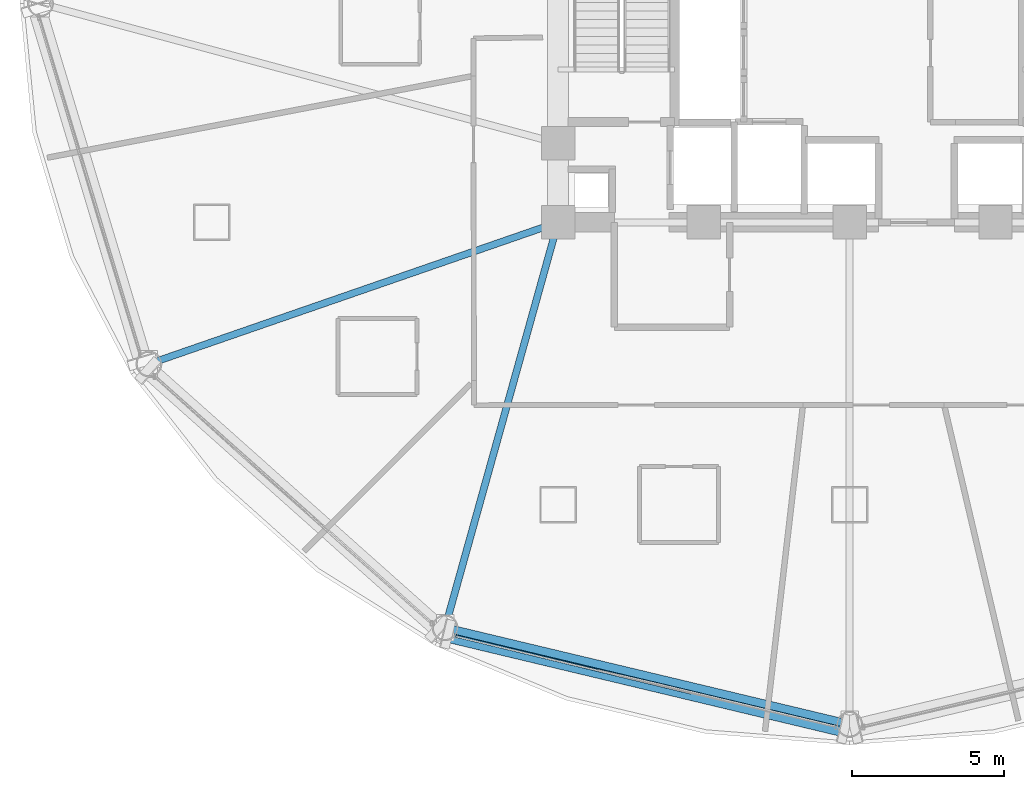
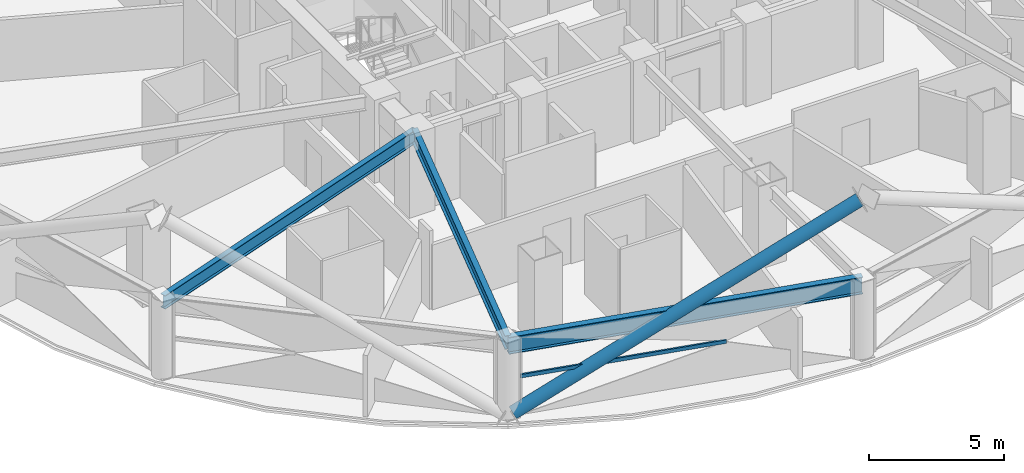
# One storey, part 3 of 31: 3 beams, 2 members, 1 element without a shape of its own.
"""IFC4 building model written with IfcOpenShell, lengths in metres."""

from ifc_helpers import new_model, si_unit, direction, frame, origin, origin_2d, place, context, subcontext, project, spatial, hollow_rectangle, hollow_circle, i_section, extrude, material, layer, layer_set, material_profile, profile_set, type_object, element, aggregate, save


model = new_model("IFC4")

# Units and contexts
model_context = context("Model", 3, precision=1e-05, world=origin(), true_north=direction((0.0, 1.0)))
body_context = subcontext(model_context, "Body", "Model", "MODEL_VIEW")
ifc_project = project(units=[si_unit("LENGTHUNIT", "METRE"), si_unit("AREAUNIT", "SQUARE_METRE"), si_unit("VOLUMEUNIT", "CUBIC_METRE"), si_unit("PLANEANGLEUNIT", "RADIAN"), si_unit("MASSUNIT", "GRAM", prefix="KILO")], contexts=[model_context])

# Site, building, storey
site_placement = place(None, origin())
site = spatial("IfcSite", under=ifc_project, at=site_placement, CompositionType="ELEMENT")
building_placement = place(site_placement, origin())
building = spatial("IfcBuilding", under=site, at=building_placement, Name="Vantalir Tower", CompositionType="ELEMENT")
storey_placement = place(building_placement, frame((0.0, 0.0, 42.0)))
storey = spatial("IfcBuildingStorey", under=building, at=storey_placement, Name="L09", CompositionType="ELEMENT", Elevation=42.0)

# Beams
ifc_material_1 = material(Name="Steel S355", Category="steel")
ifc_material_profile_1 = material_profile(ifc_material_1, i_section(OverallWidth=0.22998046875, OverallDepth=0.616943359375, WebThickness=0.01318359375, FlangeThickness=0.022216796875, at=origin_2d()), Name="Steel S355")
ifc_profile_set_1 = profile_set([ifc_material_profile_1], Name="Steel S355")
beam_type_1 = type_object("IfcBeamType", Name="BM-RB-610x229", PredefinedType="BEAM", material=ifc_profile_set_1)
beam_1_placement = place(storey_placement, frame((8.429931640625, 13.136962890625, 3.261962890625), z_axis=(0.944977317019, 0.327135859117, 0.0), x_axis=(-0.327135859117, 0.944977317019, 0.0)))
element("IfcBeam", 1, at=beam_1_placement, inside=storey, type_object=beam_type_1, Name="L09 Radial Floor Beam 08", PredefinedType="BEAM", context=body_context, shape_type="SweptSolid", body=[
    extrude(i_section(OverallWidth=0.22998046875, OverallDepth=0.616943359375, WebThickness=0.01318359375, FlangeThickness=0.022216796875, at=origin_2d()), origin(), (0.0, 0.0, 1.0), 14.25439453125),
])
beam_2_placement = place(storey_placement, frame((18.179931640625, 4.452880859375, 3.261962890625), z_axis=(0.268476196098, 0.963286318873, 0.0), x_axis=(-0.963286318873, 0.268476196098, 0.0)))
element("IfcBeam", 2, at=beam_2_placement, inside=storey, type_object=beam_type_1, Name="L09 Radial Floor Beam 09", PredefinedType="BEAM", context=body_context, shape_type="SweptSolid", body=[
    extrude(i_section(OverallWidth=0.22998046875, OverallDepth=0.616943359375, WebThickness=0.01318359375, FlangeThickness=0.022216796875, at=origin_2d()), origin(), (0.0, 0.0, 1.0), 13.85595703125),
])
ifc_material_2 = material(Name="Steel S460", Category="steel")
ifc_material_profile_2 = material_profile(ifc_material_2, i_section(OverallWidth=0.26806640625, OverallDepth=0.77001953125, WebThickness=0.015625, FlangeThickness=0.025390625, at=origin_2d()), Name="Steel S460")
ifc_profile_set_2 = profile_set([ifc_material_profile_2], Name="Steel S460")
beam_type_2 = type_object("IfcBeamType", Name="BM-RG-762x267", PredefinedType="USERDEFINED", material=ifc_profile_set_2)
beam_3_placement = place(storey_placement, frame((18.179931640625, 4.452880859375, 3.18505859375), z_axis=(0.972682503887, -0.232139498215, 0.0), x_axis=(0.232139498215, 0.972682503887, 0.0)))
element("IfcBeam", 3, at=beam_3_placement, inside=storey, type_object=beam_type_2, Name="L09 Circumferential Ring Girder 09", ObjectType="GIRDER", PredefinedType="USERDEFINED", context=body_context, shape_type="SweptSolid", body=[
    extrude(i_section(OverallWidth=0.26806640625, OverallDepth=0.77001953125, WebThickness=0.015625, FlangeThickness=0.025390625, at=origin_2d()), origin(), (0.0, 0.0, 1.0), 13.694091796875),
])

# Curtain wall, member
ifc_material_3 = material(Name="Champagne-silver PVDF aluminium and double-silver Low-E glass", Category="aluminium")
ifc_layer = layer(ifc_material_3, 0.18994140625)
ifc_layer_set = layer_set([ifc_layer], Name="Champagne-silver PVDF aluminium and double-silver Low-E glass")
curtain_wall_type = type_object("IfcCurtainWallType", Name="CW-DIAMOND-Z1", PredefinedType="USERDEFINED", material=ifc_layer_set)
curtain_wall_placement = place(storey_placement, origin())
curtain_wall = element("IfcCurtainWall", 4, at=curtain_wall_placement, inside=storey, type_object=curtain_wall_type, Name="L09 Quilted Pyramid-Diamond Curtain Wall S09", ObjectType="UNITISED CURTAIN WALL", PredefinedType="USERDEFINED")
ifc_material_4 = material(Name="Champagne-silver PVDF aluminium 6063-T6", Category="aluminium")
ifc_material_profile_3 = material_profile(ifc_material_4, hollow_rectangle(XDim=0.074951171875, YDim=0.159912109375, WallThickness=0.00390625, at=origin_2d()), Name="Champagne-silver PVDF aluminium 6063-T6")
ifc_profile_set_3 = profile_set([ifc_material_profile_3], Name="Champagne-silver PVDF aluminium 6063-T6")
member_type_1 = type_object("IfcMemberType", Name="CWT-160x75", PredefinedType="USERDEFINED", material=ifc_profile_set_3)
member_1_placement = place(storey_placement, frame((18.5419921875, 4.178955078125, 1.784912109375), z_axis=(0.971924881913, -0.235291359636, 0.0), x_axis=(0.235291359636, 0.971924881913, 0.0)))
member_1 = element("IfcMember", 5, at=member_1_placement, type_object=member_type_1, Name="CW-L09-S09 Pyramid Fold Ridge Transom", ObjectType="TRANSOM", PredefinedType="USERDEFINED", context=body_context, shape_type="SweptSolid", body=[
    extrude(hollow_rectangle(XDim=0.074951171875, YDim=0.159912109375, WallThickness=0.00390625, at=origin_2d()), origin(), (0.0, 0.0, 1.0), 7.96875),
])
aggregate(curtain_wall, [member_1])

# Member
ifc_material_profile_4 = material_profile(ifc_material_2, hollow_circle(Radius=0.27001953125, WallThickness=0.044921875, at=origin_2d()), Name="Steel S460")
ifc_profile_set_4 = profile_set([ifc_material_profile_4], Name="Steel S460")
member_type_2 = type_object("IfcMemberType", Name="MEM-DB-540x45", PredefinedType="BRACE", material=ifc_profile_set_4)
member_2_placement = place(storey_placement, frame((18.27490234375, 4.242919921875, 0.180908203125), z_axis=(0.863224616441, -0.206218721582, 0.460778797733), x_axis=(0.23235519219, 0.972631001286, 0.0)))
element("IfcMember", 6, at=member_2_placement, inside=storey, type_object=member_type_2, Name="L09 Perimeter S460 Diagrid Brace R25L", PredefinedType="BRACE", context=body_context, shape_type="SweptSolid", body=[
    extrude(hollow_circle(Radius=0.27001953125, WallThickness=0.044921875, at=origin_2d()), origin(), (0.0, 0.0, 1.0), 15.1005859375),
])

save(model, "model.ifc")
